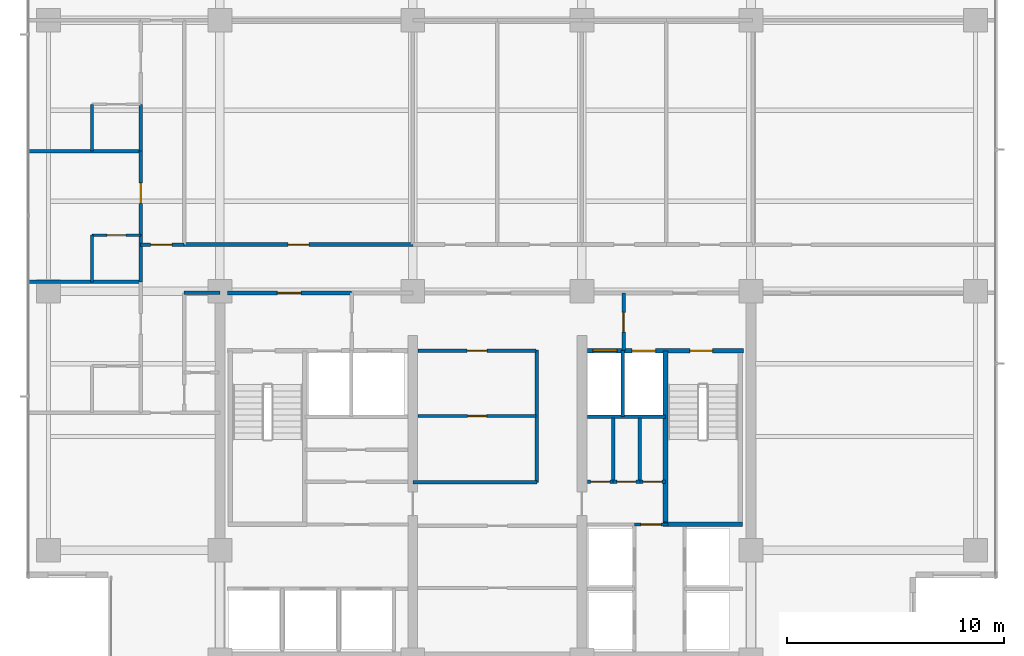
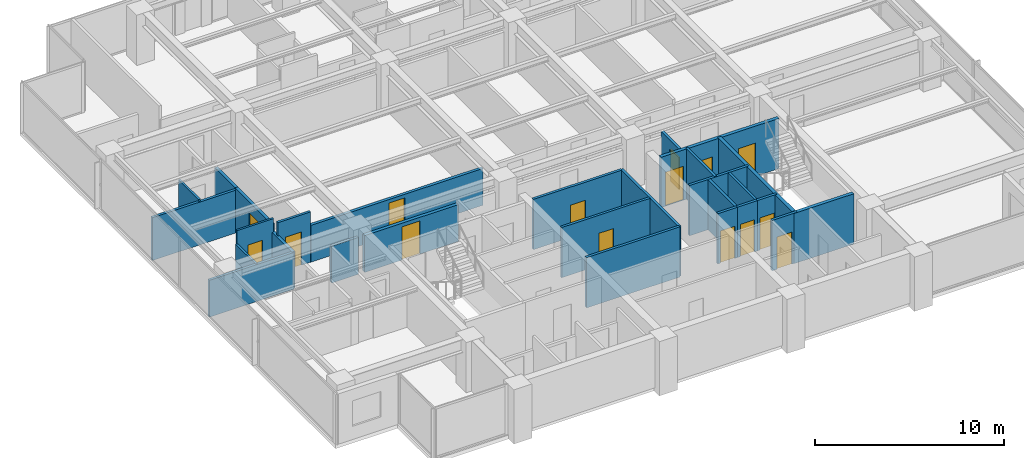
# One storey, part 8 of 14: 28 walls, 15 doors, 15 openings.
"""IFC4 building model written with IfcOpenShell, lengths in metres."""

from ifc_helpers import new_model, si_unit, direction, frame, frame_2d, origin, place, context, subcontext, project, spatial, rectangle, extrude, material, layer, layer_set, type_object, element, fill, save


model = new_model("IFC4")

# Units and contexts
model_context = context("Model", 3, precision=1e-05, world=origin(), true_north=direction((0.0, 1.0)))
body_context = subcontext(model_context, "Body", "Model", "MODEL_VIEW")
ifc_project = project(units=[si_unit("LENGTHUNIT", "METRE"), si_unit("AREAUNIT", "SQUARE_METRE"), si_unit("VOLUMEUNIT", "CUBIC_METRE"), si_unit("PLANEANGLEUNIT", "RADIAN"), si_unit("MASSUNIT", "GRAM", prefix="KILO")], contexts=[model_context])

# Site, building, storey
site_placement = place(None, origin())
site = spatial("IfcSite", under=ifc_project, at=site_placement, CompositionType="ELEMENT")
building_placement = place(site_placement, origin())
building = spatial("IfcBuilding", under=site, at=building_placement, Name="Qalmaran Belvedere Hotel", CompositionType="ELEMENT")
storey_placement = place(building_placement, frame((0.0, 0.0, 156.10009765625)))
storey = spatial("IfcBuildingStorey", under=building, at=storey_placement, Name="L39", CompositionType="ELEMENT", Elevation=156.10009765625)

# Wall, opening, door
ifc_material_1 = material(Name="Moisture-Resistant Gypsum")
ifc_layer_1 = layer(ifc_material_1, 0.1201171875, Name="Moisture-Resistant Gypsum")
ifc_layer_set_1 = layer_set([ifc_layer_1], Name="Moisture-Resistant Gypsum")
wall_type_1 = type_object("IfcWallType", Name="WL-INT-120-BATH", PredefinedType="PARTITIONING", material=ifc_layer_set_1)
wall_1_placement = place(storey_placement, frame((14.39990234375, 23.083251953125, 0.0), z_axis=(0.0, 0.0, 1.0), x_axis=(1.0, 0.0, 0.0)))
wall_1 = element("IfcWall", 1, at=wall_1_placement, inside=storey, type_object=wall_type_1, Name="L39 Partition WL-L39-WBN01", PredefinedType="PARTITIONING", context=body_context, shape_type="SweptSolid", body=[
    extrude(rectangle(XDim=2.25, YDim=0.1201171875, at=frame_2d((1.125, 0.0))), origin(), (0.0, 0.0, 1.0), 3.25),
])
opening_1_placement = place(wall_1_placement, frame((1.56494140625, 0.0, 0.0), z_axis=(0.0, 0.0, 1.0), x_axis=(-1.0, 0.0, 0.0)))
opening_1 = element("IfcOpeningElement", 2, at=opening_1_placement, cuts=wall_1, Name="Opening D-BATH", PredefinedType="OPENING", context=body_context, shape_type="SweptSolid", body=[
    extrude(rectangle(XDim=0.8798828125, YDim=2.080078125, at=frame_2d((0.43994140625, 1.0400390625))), frame((0.0, 0.070068359375, 0.0), z_axis=(0.0, -1.0, 0.0), x_axis=(1.0, 0.0, 0.0)), (0.0, 0.0, 1.0), 0.14013671875),
])
ifc_material_2 = material(Name="Engineered Oak Veneer")
door_type_1 = type_object("IfcDoorType", Name="DR-INT-BATH-880X2080", OperationType="NOTDEFINED", PredefinedType="DOOR", material=ifc_material_2)
door_1_placement = place(opening_1_placement, origin())
door_1 = element("IfcDoor", 3, at=door_1_placement, inside=storey, type_object=door_type_1, Name="L39 W Ensuite Door 02", OperationType="SINGLE_SWING_RIGHT", OverallHeight=2.080078125, OverallWidth=0.8798828125, PredefinedType="DOOR", context=body_context, shape_type="SweptSolid", body=[
    extrude(rectangle(XDim=0.8798828125, YDim=2.080078125, at=frame_2d((0.43994140625, 1.0400390625))), frame((0.0, 0.02490234375, 0.0), z_axis=(0.0, -1.0, 0.0), x_axis=(1.0, 0.0, 0.0)), (0.0, 0.0, 1.0), 0.050048828125),
])
fill(opening_1, door_1)

# Walls
wall_2_placement = place(storey_placement, frame((14.39990234375, 20.933349609375, 0.0), z_axis=(0.0, 0.0, 1.0), x_axis=(0.0, 1.0, 0.0)))
element("IfcWall", 4, at=wall_2_placement, inside=storey, type_object=wall_type_1, Name="L39 Partition WL-L39-WBS01", PredefinedType="PARTITIONING", context=body_context, shape_type="SweptSolid", body=[
    extrude(rectangle(XDim=2.14990234375, YDim=0.1201171875, at=frame_2d((1.074951171875, 0.0))), origin(), (0.0, 0.0, 1.0), 2.3798828125),
])
wall_3_placement = place(storey_placement, frame((14.39990234375, 26.966796875, 0.0), z_axis=(0.0, 0.0, 1.0), x_axis=(0.0, 1.0, 0.0)))
element("IfcWall", 5, at=wall_3_placement, inside=storey, type_object=wall_type_1, Name="L39 Partition WL-L39-WBS02", PredefinedType="PARTITIONING", context=body_context, shape_type="SweptSolid", body=[
    extrude(rectangle(XDim=2.14990234375, YDim=0.1201171875, at=frame_2d((1.074951171875, 0.0))), origin(), (0.0, 0.0, 1.0), 2.880859375),
])
ifc_material_3 = material(Name="Gypsum Stud Partition")
ifc_layer_2 = layer(ifc_material_3, 0.14990234375, Name="Gypsum Stud Partition")
ifc_layer_set_2 = layer_set([ifc_layer_2], Name="Gypsum Stud Partition")
wall_type_2 = type_object("IfcWallType", Name="WL-INT-150-EI120", PredefinedType="PARTITIONING", material=ifc_layer_set_2)
wall_4_placement = place(storey_placement, frame((38.8798828125, 14.719970703125, 0.0), z_axis=(0.0, 0.0, 1.0), x_axis=(0.0, 1.0, 0.0)))
element("IfcWall", 6, at=wall_4_placement, inside=storey, type_object=wall_type_2, Name="L39 Partition WL-FF2M-L39", PredefinedType="PARTITIONING", context=body_context, shape_type="SweptSolid", body=[
    extrude(rectangle(XDim=3.0400390625, YDim=0.14990234375, at=frame_2d((1.52001953125, 0.0))), origin(), (0.0, 0.0, 1.0), 3.25),
])
ifc_layer_3 = layer(ifc_material_3, 0.14990234375, Name="Gypsum Stud Partition")
ifc_layer_set_3 = layer_set([ifc_layer_3], Name="Gypsum Stud Partition")
wall_type_3 = type_object("IfcWallType", Name="WL-INT-150-EI60", PredefinedType="PARTITIONING", material=ifc_layer_set_3)
for number, where, z_axis, x_axis, name in (
    (7, (38.44140625, 11.719970703125, 0.0), (0.0, 0.0, 1.0), (0.0, 1.0, 0.0), "L39 Partition WL-L39-KEV1"),
    (8, (39.668701171875, 11.719970703125, 0.0), (0.0, 0.0, 1.0), (0.0, 1.0, 0.0), "L39 Partition WL-L39-KEV2"),
):
    element("IfcWall", number, at=place(storey_placement, frame(where, z_axis=z_axis, x_axis=x_axis)), inside=storey, type_object=wall_type_3, Name=name, PredefinedType="PARTITIONING", context=body_context, shape_type="SweptSolid", body=[
        extrude(rectangle(XDim=2.929931640625, YDim=0.14990234375, at=frame_2d((1.46484375, 0.0))), origin(), (0.0, 0.0, 1.0), 3.25),
    ])

# Wall, opening, door
wall_5_placement = place(storey_placement, frame((29.449951171875, 14.7451171875, 0.0), z_axis=(0.0, 0.0, 1.0), x_axis=(1.0, 0.0, 0.0)))
wall_5 = element("IfcWall", 9, at=wall_5_placement, inside=storey, type_object=wall_type_3, Name="L39 Partition WL-L39-KPMHM", PredefinedType="PARTITIONING", context=body_context, shape_type="SweptSolid", body=[
    extrude(rectangle(XDim=5.429931640625, YDim=0.14990234375, at=frame_2d((2.71484375, 0.0))), origin(), (0.0, 0.0, 1.0), 3.25),
])
opening_2_placement = place(wall_5_placement, frame((3.15478515625, 0.0, 0.0), z_axis=(0.0, 0.0, 1.0), x_axis=(-1.0, 0.0, 0.0)))
opening_2 = element("IfcOpeningElement", 10, at=opening_2_placement, cuts=wall_5, Name="Opening FD60B", PredefinedType="OPENING", context=body_context, shape_type="SweptSolid", body=[
    extrude(rectangle(XDim=0.8798828125, YDim=2.080078125, at=frame_2d((0.43994140625, 1.0400390625))), frame((0.0, 0.0849609375, 0.0), z_axis=(0.0, -1.0, 0.0), x_axis=(1.0, 0.0, 0.0)), (0.0, 0.0, 1.0), 0.169921875),
])
ifc_material_4 = material(Name="Steel S355JR", Category="steel")
door_type_2 = type_object("IfcDoorType", Name="DR-FD60B-880X2080", OperationType="NOTDEFINED", PredefinedType="DOOR", material=ifc_material_4)
door_2_placement = place(opening_2_placement, origin())
door_2 = element("IfcDoor", 11, at=door_2_placement, inside=storey, type_object=door_type_2, Name="L39 Executive Butler Pantry Door", OperationType="SINGLE_SWING_RIGHT", OverallHeight=2.080078125, OverallWidth=0.8798828125, PredefinedType="DOOR", context=body_context, shape_type="SweptSolid", body=[
    extrude(rectangle(XDim=0.8798828125, YDim=2.080078125, at=frame_2d((0.43994140625, 1.0400390625))), frame((0.0, 0.02490234375, 0.0), z_axis=(0.0, -1.0, 0.0), x_axis=(1.0, 0.0, 0.0)), (0.0, 0.0, 1.0), 0.050048828125),
])
fill(opening_2, door_2)

wall_6_placement = place(storey_placement, frame((16.64990234375, 22.64990234375, 0.0), z_axis=(0.0, 0.0, 1.0), x_axis=(1.0, 0.0, 0.0)))
wall_6 = element("IfcWall", 12, at=wall_6_placement, inside=storey, type_object=wall_type_3, Name="L39 Partition WL-L39-XCW1", PredefinedType="PARTITIONING", context=body_context, shape_type="SweptSolid", body=[
    extrude(rectangle(XDim=2.0, YDim=0.14990234375, at=frame_2d((1.0, 0.0))), origin(), (0.0, 0.0, 1.0), 3.25),
])
opening_3_placement = place(wall_6_placement, frame((0.449951171875, 0.0, 0.0)))
opening_3 = element("IfcOpeningElement", 13, at=opening_3_placement, cuts=wall_6, Name="Opening FD90B", PredefinedType="OPENING", context=body_context, shape_type="SweptSolid", body=[
    extrude(rectangle(XDim=1.0, YDim=2.14990234375, at=frame_2d((0.5, 1.074951171875))), frame((0.0, 0.0849609375, 0.0), z_axis=(0.0, -1.0, 0.0), x_axis=(1.0, 0.0, 0.0)), (0.0, 0.0, 1.0), 0.169921875),
])
door_type_3 = type_object("IfcDoorType", Name="DR-FD90B-1000X2150", OperationType="NOTDEFINED", PredefinedType="DOOR", material=ifc_material_4)
door_3_placement = place(opening_3_placement, origin())
door_3 = element("IfcDoor", 14, at=door_3_placement, inside=storey, type_object=door_type_3, Name="L39 West Corridor Smoke Door S", OperationType="SINGLE_SWING_LEFT", OverallHeight=2.14990234375, OverallWidth=1.0, PredefinedType="DOOR", context=body_context, shape_type="SweptSolid", body=[
    extrude(rectangle(XDim=1.0, YDim=2.14990234375, at=frame_2d((0.5, 1.074951171875))), frame((0.0, 0.02490234375, 0.0), z_axis=(0.0, -1.0, 0.0), x_axis=(1.0, 0.0, 0.0)), (0.0, 0.0, 1.0), 0.050048828125),
])
fill(opening_3, door_3)

ifc_layer_4 = layer(ifc_material_3, 0.159912109375, Name="Gypsum Stud Partition")
ifc_layer_set_4 = layer_set([ifc_layer_4], Name="Gypsum Stud Partition")
wall_type_4 = type_object("IfcWallType", Name="WL-INT-160-EI120", PredefinedType="PARTITIONING", material=ifc_layer_set_4)
wall_7_placement = place(storey_placement, frame((38.919921875, 17.760009765625, 0.0), z_axis=(0.0, 0.0, 1.0), x_axis=(0.0, 1.0, 0.0)))
wall_7 = element("IfcWall", 15, at=wall_7_placement, inside=storey, type_object=wall_type_4, Name="L39 Partition WL-FFSV2-L39", PredefinedType="PARTITIONING", context=body_context, shape_type="SweptSolid", body=[
    extrude(rectangle(XDim=2.659912109375, YDim=0.159912109375, at=frame_2d((1.330078125, 0.0))), origin(), (0.0, 0.0, 1.0), 2.69189453125),
])
opening_4_placement = place(wall_7_placement, frame((1.77001953125, 0.0, 0.0), z_axis=(0.0, 0.0, 1.0), x_axis=(-1.0, 0.0, 0.0)))
opening_4 = element("IfcOpeningElement", 16, at=opening_4_placement, cuts=wall_7, Name="Opening FD60S1", PredefinedType="OPENING", context=body_context, shape_type="SweptSolid", body=[
    extrude(rectangle(XDim=0.919921875, YDim=2.080078125, at=frame_2d((0.4599609375, 1.0400390625))), frame((0.0, 0.08984375, 0.0), z_axis=(0.0, -1.0, 0.0), x_axis=(1.0, 0.0, 0.0)), (0.0, 0.0, 1.0), 0.179931640625),
])
door_type_4 = type_object("IfcDoorType", Name="DR-FD60S-920X2080", OperationType="NOTDEFINED", PredefinedType="DOOR", material=ifc_material_2)
door_4_placement = place(opening_4_placement, origin())
door_4 = element("IfcDoor", 17, at=door_4_placement, inside=storey, type_object=door_type_4, Name="L39 Service Lobby East Door", OperationType="SINGLE_SWING_RIGHT", OverallHeight=2.080078125, OverallWidth=0.919921875, PredefinedType="DOOR", context=body_context, shape_type="SweptSolid", body=[
    extrude(rectangle(XDim=0.919921875, YDim=2.080078125, at=frame_2d((0.4599609375, 1.0400390625))), frame((0.0, 0.02490234375, 0.0), z_axis=(0.0, -1.0, 0.0), x_axis=(1.0, 0.0, 0.0)), (0.0, 0.0, 1.0), 0.050048828125),
])
fill(opening_4, door_4)

# Wall
wall_8_placement = place(storey_placement, frame((37.25, 14.719970703125, 0.0), z_axis=(0.0, 0.0, 1.0), x_axis=(1.0, 0.0, 0.0)))
element("IfcWall", 18, at=wall_8_placement, inside=storey, type_object=wall_type_4, Name="L39 Partition WL-FF2S-L39", PredefinedType="PARTITIONING", context=body_context, shape_type="SweptSolid", body=[
    extrude(rectangle(XDim=3.610107421875, YDim=0.159912109375, at=frame_2d((1.80517578125, 0.0))), origin(), (0.0, 0.0, 1.0), 3.25),
])

# Wall, opening, door
wall_9_placement = place(storey_placement, frame((39.419921875, 9.739990234375, 0.0), z_axis=(0.0, 0.0, 1.0), x_axis=(1.0, 0.0, 0.0)))
wall_9 = element("IfcWall", 19, at=wall_9_placement, inside=storey, type_object=wall_type_4, Name="L39 Partition WL-PHNL-L39", PredefinedType="PARTITIONING", context=body_context, shape_type="SweptSolid", body=[
    extrude(rectangle(XDim=1.56005859375, YDim=0.159912109375, at=frame_2d((0.780029296875, 0.0))), origin(), (0.0, 0.0, 1.0), 3.25),
])
opening_5_placement = place(wall_9_placement, frame((0.300048828125, 0.0, 0.0)))
opening_5 = element("IfcOpeningElement", 20, at=opening_5_placement, cuts=wall_9, Name="Opening FD60S1", PredefinedType="OPENING", context=body_context, shape_type="SweptSolid", body=[
    extrude(rectangle(XDim=0.919921875, YDim=2.080078125, at=frame_2d((0.4599609375, 1.0400390625))), frame((0.0, 0.08984375, 0.0), z_axis=(0.0, -1.0, 0.0), x_axis=(1.0, 0.0, 0.0)), (0.0, 0.0, 1.0), 0.179931640625),
])
door_5_placement = place(opening_5_placement, origin())
door_5 = element("IfcDoor", 21, at=door_5_placement, inside=storey, type_object=door_type_4, Name="L39 High-Rise Lift Lobby Passage Door", OperationType="SINGLE_SWING_RIGHT", OverallHeight=2.080078125, OverallWidth=0.919921875, PredefinedType="DOOR", context=body_context, shape_type="SweptSolid", body=[
    extrude(rectangle(XDim=0.919921875, YDim=2.080078125, at=frame_2d((0.4599609375, 1.0400390625))), frame((0.0, 0.02490234375, 0.0), z_axis=(0.0, -1.0, 0.0), x_axis=(1.0, 0.0, 0.0)), (0.0, 0.0, 1.0), 0.050048828125),
])
fill(opening_5, door_5)

ifc_layer_5 = layer(ifc_material_3, 0.159912109375, Name="Gypsum Stud Partition")
ifc_layer_set_5 = layer_set([ifc_layer_5], Name="Gypsum Stud Partition")
wall_type_5 = type_object("IfcWallType", Name="WL-INT-160-EI60", PredefinedType="PARTITIONING", material=ifc_layer_set_5)
wall_10_placement = place(storey_placement, frame((37.25, 11.719970703125, 0.0), z_axis=(0.0, 0.0, 1.0), x_axis=(1.0, 0.0, 0.0)))
wall_10 = element("IfcWall", 22, at=wall_10_placement, inside=storey, type_object=wall_type_5, Name="L39 Partition WL-L39-KEE1", PredefinedType="PARTITIONING", context=body_context, shape_type="SweptSolid", body=[
    extrude(rectangle(XDim=1.19140625, YDim=0.159912109375, at=frame_2d((0.595703125, 0.0))), origin(), (0.0, 0.0, 1.0), 3.25),
])
opening_6_placement = place(wall_10_placement, frame((0.155517578125, 0.0, 0.0)))
opening_6 = element("IfcOpeningElement", 23, at=opening_6_placement, cuts=wall_10, Name="Opening FD60B", PredefinedType="OPENING", context=body_context, shape_type="SweptSolid", body=[
    extrude(rectangle(XDim=0.8798828125, YDim=2.080078125, at=frame_2d((0.43994140625, 1.0400390625))), frame((0.0, 0.08984375, 0.0), z_axis=(0.0, -1.0, 0.0), x_axis=(1.0, 0.0, 0.0)), (0.0, 0.0, 1.0), 0.179931640625),
])
door_6_placement = place(opening_6_placement, origin())
door_6 = element("IfcDoor", 24, at=door_6_placement, inside=storey, type_object=door_type_2, Name="L39 Hotel Linen Closet Door", OperationType="SINGLE_SWING_RIGHT", OverallHeight=2.080078125, OverallWidth=0.8798828125, PredefinedType="DOOR", context=body_context, shape_type="SweptSolid", body=[
    extrude(rectangle(XDim=0.8798828125, YDim=2.080078125, at=frame_2d((0.43994140625, 1.0400390625))), frame((0.0, 0.02490234375, 0.0), z_axis=(0.0, -1.0, 0.0), x_axis=(1.0, 0.0, 0.0)), (0.0, 0.0, 1.0), 0.050048828125),
])
fill(opening_6, door_6)

wall_11_placement = place(storey_placement, frame((38.44140625, 11.719970703125, 0.0), z_axis=(0.0, 0.0, 1.0), x_axis=(1.0, 0.0, 0.0)))
wall_11 = element("IfcWall", 25, at=wall_11_placement, inside=storey, type_object=wall_type_5, Name="L39 Partition WL-L39-KEE2", PredefinedType="PARTITIONING", context=body_context, shape_type="SweptSolid", body=[
    extrude(rectangle(XDim=1.227294921875, YDim=0.159912109375, at=frame_2d((0.61376953125, 0.0))), origin(), (0.0, 0.0, 1.0), 3.25),
])
opening_7_placement = place(wall_11_placement, frame((0.173583984375, 0.0, 0.0)))
opening_7 = element("IfcOpeningElement", 26, at=opening_7_placement, cuts=wall_11, Name="Opening FD60B", PredefinedType="OPENING", context=body_context, shape_type="SweptSolid", body=[
    extrude(rectangle(XDim=0.8798828125, YDim=2.080078125, at=frame_2d((0.43994140625, 1.0400390625))), frame((0.0, 0.08984375, 0.0), z_axis=(0.0, -1.0, 0.0), x_axis=(1.0, 0.0, 0.0)), (0.0, 0.0, 1.0), 0.179931640625),
])
door_7_placement = place(opening_7_placement, origin())
door_7 = element("IfcDoor", 27, at=door_7_placement, inside=storey, type_object=door_type_2, Name="L39 Guest Ice and Beverage Pantry Door", OperationType="SINGLE_SWING_LEFT", OverallHeight=2.080078125, OverallWidth=0.8798828125, PredefinedType="DOOR", context=body_context, shape_type="SweptSolid", body=[
    extrude(rectangle(XDim=0.8798828125, YDim=2.080078125, at=frame_2d((0.43994140625, 1.0400390625))), frame((0.0, 0.02490234375, 0.0), z_axis=(0.0, -1.0, 0.0), x_axis=(1.0, 0.0, 0.0)), (0.0, 0.0, 1.0), 0.050048828125),
])
fill(opening_7, door_7)

wall_12_placement = place(storey_placement, frame((39.668701171875, 11.719970703125, 0.0), z_axis=(0.0, 0.0, 1.0), x_axis=(1.0, 0.0, 0.0)))
wall_12 = element("IfcWall", 28, at=wall_12_placement, inside=storey, type_object=wall_type_5, Name="L39 Partition WL-L39-KEE3", PredefinedType="PARTITIONING", context=body_context, shape_type="SweptSolid", body=[
    extrude(rectangle(XDim=1.19140625, YDim=0.159912109375, at=frame_2d((0.595703125, 0.0))), origin(), (0.0, 0.0, 1.0), 3.25),
])
opening_8_placement = place(wall_12_placement, frame((0.155517578125, 0.0, 0.0)))
opening_8 = element("IfcOpeningElement", 29, at=opening_8_placement, cuts=wall_12, Name="Opening FD60B", PredefinedType="OPENING", context=body_context, shape_type="SweptSolid", body=[
    extrude(rectangle(XDim=0.8798828125, YDim=2.080078125, at=frame_2d((0.43994140625, 1.0400390625))), frame((0.0, 0.08984375, 0.0), z_axis=(0.0, -1.0, 0.0), x_axis=(1.0, 0.0, 0.0)), (0.0, 0.0, 1.0), 0.179931640625),
])
door_8_placement = place(opening_8_placement, origin())
door_8 = element("IfcDoor", 30, at=door_8_placement, inside=storey, type_object=door_type_2, Name="L39 Cleaner Equipment Store Door", OperationType="SINGLE_SWING_RIGHT", OverallHeight=2.080078125, OverallWidth=0.8798828125, PredefinedType="DOOR", context=body_context, shape_type="SweptSolid", body=[
    extrude(rectangle(XDim=0.8798828125, YDim=2.080078125, at=frame_2d((0.43994140625, 1.0400390625))), frame((0.0, 0.02490234375, 0.0), z_axis=(0.0, -1.0, 0.0), x_axis=(1.0, 0.0, 0.0)), (0.0, 0.0, 1.0), 0.050048828125),
])
fill(opening_8, door_8)

# Walls
wall_13_placement = place(storey_placement, frame((34.919921875, 11.679931640625, 0.0), z_axis=(0.0, 0.0, 1.0), x_axis=(0.0, 1.0, 0.0)))
element("IfcWall", 31, at=wall_13_placement, inside=storey, type_object=wall_type_5, Name="L39 Partition WL-CLLV-L39", PredefinedType="PARTITIONING", context=body_context, shape_type="SweptSolid", body=[
    extrude(rectangle(XDim=6.10009765625, YDim=0.159912109375, at=frame_2d((3.050048828125, 0.0))), origin(), (0.0, 0.0, 1.0), 3.25),
])
wall_14_placement = place(storey_placement, frame((29.199951171875, 11.679931640625, 0.0), z_axis=(0.0, 0.0, 1.0), x_axis=(1.0, 0.0, 0.0)))
element("IfcWall", 32, at=wall_14_placement, inside=storey, type_object=wall_type_5, Name="L39 Partition WL-PMFS-L39", PredefinedType="PARTITIONING", context=body_context, shape_type="SweptSolid", body=[
    extrude(rectangle(XDim=5.719970703125, YDim=0.159912109375, at=frame_2d((2.85986328125, 0.0))), origin(), (0.0, 0.0, 1.0), 3.25),
])

# Wall, opening, door
wall_15_placement = place(storey_placement, frame((29.449951171875, 17.75, 0.0), z_axis=(0.0, 0.0, 1.0), x_axis=(1.0, 0.0, 0.0)))
wall_15 = element("IfcWall", 33, at=wall_15_placement, inside=storey, type_object=wall_type_5, Name="L39 Partition WL-L39-KPME1", PredefinedType="PARTITIONING", context=body_context, shape_type="SweptSolid", body=[
    extrude(rectangle(XDim=5.429931640625, YDim=0.159912109375, at=frame_2d((2.71484375, 0.0))), origin(), (0.0, 0.0, 1.0), 3.25),
])
opening_9_placement = place(wall_15_placement, frame((3.1748046875, 0.0, 0.0), z_axis=(0.0, 0.0, 1.0), x_axis=(-1.0, 0.0, 0.0)))
opening_9 = element("IfcOpeningElement", 34, at=opening_9_placement, cuts=wall_15, Name="Opening FD60S1", PredefinedType="OPENING", context=body_context, shape_type="SweptSolid", body=[
    extrude(rectangle(XDim=0.919921875, YDim=2.080078125, at=frame_2d((0.4599609375, 1.0400390625))), frame((0.0, 0.08984375, 0.0), z_axis=(0.0, -1.0, 0.0), x_axis=(1.0, 0.0, 0.0)), (0.0, 0.0, 1.0), 0.179931640625),
])
door_9_placement = place(opening_9_placement, origin())
door_9 = element("IfcDoor", 35, at=door_9_placement, inside=storey, type_object=door_type_4, Name="L39 Core Tableware Store Door", OperationType="SINGLE_SWING_LEFT", OverallHeight=2.080078125, OverallWidth=0.919921875, PredefinedType="DOOR", context=body_context, shape_type="SweptSolid", body=[
    extrude(rectangle(XDim=0.919921875, YDim=2.080078125, at=frame_2d((0.4599609375, 1.0400390625))), frame((0.0, 0.02490234375, 0.0), z_axis=(0.0, -1.0, 0.0), x_axis=(1.0, 0.0, 0.0)), (0.0, 0.0, 1.0), 0.050048828125),
])
fill(opening_9, door_9)

# Walls
wall_16_placement = place(storey_placement, frame((18.64990234375, 20.419921875, 0.0), z_axis=(0.0, 0.0, 1.0), x_axis=(1.0, 0.0, 0.0)))
element("IfcWall", 36, at=wall_16_placement, inside=storey, type_object=wall_type_5, Name="L39 Partition WL-L39-WCLN", PredefinedType="PARTITIONING", context=body_context, shape_type="SweptSolid", body=[
    extrude(rectangle(XDim=1.650146484375, YDim=0.159912109375, at=frame_2d((0.8251953125, 0.0))), origin(), (0.0, 0.0, 1.0), 2.3798828125),
])
wall_17_placement = place(storey_placement, frame((11.469970703125, 20.933349609375, 0.0), z_axis=(0.0, 0.0, 1.0), x_axis=(1.0, 0.0, 0.0)))
element("IfcWall", 37, at=wall_17_placement, inside=storey, type_object=wall_type_5, Name="L39 Partition WL-L39-WU00", PredefinedType="PARTITIONING", context=body_context, shape_type="SweptSolid", body=[
    extrude(rectangle(XDim=5.179931640625, YDim=0.159912109375, at=frame_2d((2.58984375, 0.0))), origin(), (0.0, 0.0, 1.0), 2.3798828125),
])
wall_18_placement = place(storey_placement, frame((11.469970703125, 26.966796875, 0.0), z_axis=(0.0, 0.0, 1.0), x_axis=(1.0, 0.0, 0.0)))
element("IfcWall", 38, at=wall_18_placement, inside=storey, type_object=wall_type_5, Name="L39 Partition WL-L39-WU01", PredefinedType="PARTITIONING", context=body_context, shape_type="SweptSolid", body=[
    extrude(rectangle(XDim=5.179931640625, YDim=0.159912109375, at=frame_2d((2.58984375, 0.0))), origin(), (0.0, 0.0, 1.0), 2.77197265625),
])

# Wall, opening, door
ifc_layer_6 = layer(ifc_material_3, 0.179931640625, Name="Gypsum Stud Partition")
ifc_layer_set_6 = layer_set([ifc_layer_6], Name="Gypsum Stud Partition")
wall_type_6 = type_object("IfcWallType", Name="WL-INT-180-EI60", PredefinedType="PARTITIONING", material=ifc_layer_set_6)
wall_19_placement = place(storey_placement, frame((18.64990234375, 22.64990234375, 0.0), z_axis=(0.0, 0.0, 1.0), x_axis=(1.0, 0.0, 0.0)))
wall_19 = element("IfcWall", 39, at=wall_19_placement, inside=storey, type_object=wall_type_6, Name="L39 Partition WL-L39-MIDD1", PredefinedType="PARTITIONING", context=body_context, shape_type="SweptSolid", body=[
    extrude(rectangle(XDim=10.550048828125, YDim=0.179931640625, at=frame_2d((5.27490234375, 0.0))), origin(), (0.0, 0.0, 1.0), 2.3798828125),
])
opening_10_placement = place(wall_19_placement, frame((4.800048828125, 0.0, 0.0)))
opening_10 = element("IfcOpeningElement", 40, at=opening_10_placement, cuts=wall_19, Name="Opening FD60", PredefinedType="OPENING", context=body_context, shape_type="SweptSolid", body=[
    extrude(rectangle(XDim=0.949951171875, YDim=2.14990234375, at=frame_2d((0.47509765625, 1.074951171875))), frame((0.0, 0.10009765625, 0.0), z_axis=(0.0, -1.0, 0.0), x_axis=(1.0, 0.0, 0.0)), (0.0, 0.0, 1.0), 0.199951171875),
])
door_type_5 = type_object("IfcDoorType", Name="DR-FD60-950X2150", OperationType="NOTDEFINED", PredefinedType="DOOR", material=ifc_material_2)
door_10_placement = place(opening_10_placement, origin())
door_10 = element("IfcDoor", 41, at=door_10_placement, inside=storey, type_object=door_type_5, Name="L39 Housekeeping and Linen Room Door", OperationType="SINGLE_SWING_LEFT", OverallHeight=2.14990234375, OverallWidth=0.949951171875, PredefinedType="DOOR", context=body_context, shape_type="SweptSolid", body=[
    extrude(rectangle(XDim=0.949951171875, YDim=2.14990234375, at=frame_2d((0.47509765625, 1.074951171875))), frame((0.0, 0.02490234375, 0.0), z_axis=(0.0, -1.0, 0.0), x_axis=(1.0, 0.0, 0.0)), (0.0, 0.0, 1.0), 0.050048828125),
])
fill(opening_10, door_10)

# Wall
wall_20_placement = place(storey_placement, frame((16.64990234375, 20.933349609375, 0.0), z_axis=(0.0, 0.0, 1.0), x_axis=(0.0, 1.0, 0.0)))
element("IfcWall", 42, at=wall_20_placement, inside=storey, type_object=wall_type_6, Name="L39 Partition WL-L39-WBC01", PredefinedType="PARTITIONING", context=body_context, shape_type="SweptSolid", body=[
    extrude(rectangle(XDim=2.14990234375, YDim=0.179931640625, at=frame_2d((1.074951171875, 0.0))), origin(), (0.0, 0.0, 1.0), 2.3798828125),
])

# Wall, opening, door
wall_21_placement = place(storey_placement, frame((16.64990234375, 23.083251953125, 0.0), z_axis=(0.0, 0.0, 1.0), x_axis=(0.0, 1.0, 0.0)))
wall_21 = element("IfcWall", 43, at=wall_21_placement, inside=storey, type_object=wall_type_6, Name="L39 Partition WL-L39-WEC01", PredefinedType="PARTITIONING", context=body_context, shape_type="SweptSolid", body=[
    extrude(rectangle(XDim=3.883544921875, YDim=0.179931640625, at=frame_2d((1.94189453125, 0.0))), origin(), (0.0, 0.0, 1.0), 2.880859375),
])
opening_11_placement = place(wall_21_placement, frame((1.466796875, 0.0, 0.0)))
opening_11 = element("IfcOpeningElement", 44, at=opening_11_placement, cuts=wall_21, Name="Opening FD60", PredefinedType="OPENING", context=body_context, shape_type="SweptSolid", body=[
    extrude(rectangle(XDim=0.949951171875, YDim=2.14990234375, at=frame_2d((0.47509765625, 1.074951171875))), frame((0.0, 0.10009765625, 0.0), z_axis=(0.0, -1.0, 0.0), x_axis=(1.0, 0.0, 0.0)), (0.0, 0.0, 1.0), 0.199951171875),
])
door_11_placement = place(opening_11_placement, origin())
door_11 = element("IfcDoor", 45, at=door_11_placement, inside=storey, type_object=door_type_5, Name="L39 W Wing Door 02", OperationType="SINGLE_SWING_LEFT", OverallHeight=2.14990234375, OverallWidth=0.949951171875, PredefinedType="DOOR", context=body_context, shape_type="SweptSolid", body=[
    extrude(rectangle(XDim=0.949951171875, YDim=2.14990234375, at=frame_2d((0.47509765625, 1.074951171875))), frame((0.0, 0.02490234375, 0.0), z_axis=(0.0, -1.0, 0.0), x_axis=(1.0, 0.0, 0.0)), (0.0, 0.0, 1.0), 0.050048828125),
])
fill(opening_11, door_11)

# Wall
wall_22_placement = place(storey_placement, frame((16.64990234375, 26.966796875, 0.0), z_axis=(0.0, 0.0, 1.0), x_axis=(0.0, 1.0, 0.0)))
element("IfcWall", 46, at=wall_22_placement, inside=storey, type_object=wall_type_6, Name="L39 Partition WL-L39-WBC02", PredefinedType="PARTITIONING", context=body_context, shape_type="SweptSolid", body=[
    extrude(rectangle(XDim=2.14990234375, YDim=0.179931640625, at=frame_2d((1.074951171875, 0.0))), origin(), (0.0, 0.0, 1.0), 2.880859375),
])

# Wall, opening, door
ifc_material_5 = material(Name="Concrete C30/37 Blockwork", Category="masonry")
ifc_layer_7 = layer(ifc_material_5, 0.199951171875, Name="Concrete C30/37 Blockwork")
ifc_layer_set_7 = layer_set([ifc_layer_7], Name="Concrete C30/37 Blockwork")
wall_type_7 = type_object("IfcWallType", Name="WL-INT-200-EI120", PredefinedType="PARTITIONING", material=ifc_layer_set_7)
wall_23_placement = place(storey_placement, frame((20.64990234375, 20.419921875, 0.0), z_axis=(0.0, 0.0, 1.0), x_axis=(1.0, 0.0, 0.0)))
wall_23 = element("IfcWall", 47, at=wall_23_placement, inside=storey, type_object=wall_type_7, Name="L39 Partition WL-CN1A-L39", PredefinedType="PARTITIONING", context=body_context, shape_type="SweptSolid", body=[
    extrude(rectangle(XDim=5.72998046875, YDim=0.199951171875, at=frame_2d((2.864990234375, 0.0))), origin(), (0.0, 0.0, 1.0), 2.3798828125),
])
opening_12_placement = place(wall_23_placement, frame((2.300048828125, 0.0, 0.0)))
opening_12 = element("IfcOpeningElement", 48, at=opening_12_placement, cuts=wall_23, Name="Opening FD90", PredefinedType="OPENING", context=body_context, shape_type="SweptSolid", body=[
    extrude(rectangle(XDim=1.10009765625, YDim=2.14990234375, at=frame_2d((0.550048828125, 1.074951171875))), frame((0.0, 0.10986328125, 0.0), z_axis=(0.0, -1.0, 0.0), x_axis=(1.0, 0.0, 0.0)), (0.0, 0.0, 1.0), 0.219970703125),
])
door_type_6 = type_object("IfcDoorType", Name="DR-FD90-1100X2150", OperationType="NOTDEFINED", PredefinedType="DOOR", material=ifc_material_4)
door_12_placement = place(opening_12_placement, origin())
door_12 = element("IfcDoor", 49, at=door_12_placement, inside=storey, type_object=door_type_6, Name="L39 FF1 Lobby Corridor Door", OperationType="SINGLE_SWING_LEFT", OverallHeight=2.14990234375, OverallWidth=1.10009765625, PredefinedType="DOOR", context=body_context, shape_type="SweptSolid", body=[
    extrude(rectangle(XDim=1.10009765625, YDim=2.14990234375, at=frame_2d((0.550048828125, 1.074951171875))), frame((0.0, 0.02490234375, 0.0), z_axis=(0.0, -1.0, 0.0), x_axis=(1.0, 0.0, 0.0)), (0.0, 0.0, 1.0), 0.050048828125),
])
fill(opening_12, door_12)

# Walls
ifc_material_6 = material(Name="Concrete C50/60", Category="concrete")
ifc_layer_8 = layer(ifc_material_6, 0.2099609375, Name="Concrete C50/60")
ifc_layer_set_8 = layer_set([ifc_layer_8], Name="Concrete C50/60")
wall_type_8 = type_object("IfcWallType", Name="WL-STAIR-210-C50", PredefinedType="SHEAR", material=ifc_layer_set_8)
wall_24_placement = place(storey_placement, frame((40.85498046875, 9.7451171875, 0.0), z_axis=(0.0, 0.0, 1.0), x_axis=(0.0, 1.0, 0.0)))
element("IfcWall", 50, at=wall_24_placement, inside=storey, type_object=wall_type_8, Name="L39 Stair ST-2 West Bearing Wall", PredefinedType="SHEAR", context=body_context, shape_type="SweptSolid", body=[
    extrude(rectangle(XDim=8.009765625, YDim=0.2099609375, at=frame_2d((4.0048828125, 0.0))), origin(), (0.0, 0.0, 1.0), 3.25),
])
wall_25_placement = place(storey_placement, frame((40.75, 9.7451171875, 0.0), z_axis=(0.0, 0.0, 1.0), x_axis=(1.0, 0.0, 0.0)))
element("IfcWall", 51, at=wall_25_placement, inside=storey, type_object=wall_type_8, Name="L39 Stair ST-2 South Bearing Wall", PredefinedType="SHEAR", context=body_context, shape_type="SweptSolid", body=[
    extrude(rectangle(XDim=3.659912109375, YDim=0.2099609375, at=frame_2d((1.830078125, 0.0))), origin(), (0.0, 0.0, 1.0), 3.25),
])

# Wall, openings, doors
wall_26_placement = place(storey_placement, frame((37.25, 17.7548828125, 0.0), z_axis=(0.0, 0.0, 1.0), x_axis=(1.0, 0.0, 0.0)))
wall_26 = element("IfcWall", 52, at=wall_26_placement, inside=storey, type_object=wall_type_8, Name="L39 East Lobby and Stair ST-2 North Bearing Wall", PredefinedType="SHEAR", context=body_context, shape_type="SweptSolid", body=[
    extrude(rectangle(XDim=7.199951171875, YDim=0.2099609375, at=frame_2d((3.60009765625, 0.0))), origin(), (0.0, 0.0, 1.0), 3.25),
])
opening_13_placement = place(wall_26_placement, frame((0.25, 0.0, 0.0)))
opening_13 = element("IfcOpeningElement", 53, at=opening_13_placement, cuts=wall_26, Name="Opening LD-SV", PredefinedType="OPENING", context=body_context, shape_type="SweptSolid", body=[
    extrude(rectangle(XDim=1.1201171875, YDim=2.199951171875, at=frame_2d((0.56005859375, 1.10009765625))), frame((0.0, 0.114990234375, 0.0), z_axis=(0.0, -1.0, 0.0), x_axis=(1.0, 0.0, 0.0)), (0.0, 0.0, 1.0), 0.22998046875),
])
opening_14_placement = place(wall_26_placement, frame((2.050048828125, 0.0, 0.0)))
opening_14 = element("IfcOpeningElement", 54, at=opening_14_placement, cuts=wall_26, Name="Opening LD-FF", PredefinedType="OPENING", context=body_context, shape_type="SweptSolid", body=[
    extrude(rectangle(XDim=1.10009765625, YDim=2.179931640625, at=frame_2d((0.550048828125, 1.08984375))), frame((0.0, 0.114990234375, 0.0), z_axis=(0.0, -1.0, 0.0), x_axis=(1.0, 0.0, 0.0)), (0.0, 0.0, 1.0), 0.22998046875),
])
opening_15_placement = place(wall_26_placement, frame((5.780029296875, 0.0, 0.0), z_axis=(0.0, 0.0, 1.0), x_axis=(-1.0, 0.0, 0.0)))
opening_15 = element("IfcOpeningElement", 55, at=opening_15_placement, cuts=wall_26, Name="Opening FD90S2", PredefinedType="OPENING", context=body_context, shape_type="SweptSolid", body=[
    extrude(rectangle(XDim=1.050048828125, YDim=2.14990234375, at=frame_2d((0.52490234375, 1.074951171875))), frame((0.0, 0.114990234375, 0.0), z_axis=(0.0, -1.0, 0.0), x_axis=(1.0, 0.0, 0.0)), (0.0, 0.0, 1.0), 0.22998046875),
])
door_type_7 = type_object("IfcDoorType", Name="DR-FD90S-1050X2150", OperationType="NOTDEFINED", PredefinedType="DOOR", material=ifc_material_4)
door_13_placement = place(opening_15_placement, origin())
door_13 = element("IfcDoor", 56, at=door_13_placement, inside=storey, type_object=door_type_7, Name="L39 Stair ST-2 Door", OperationType="SINGLE_SWING_RIGHT", OverallHeight=2.14990234375, OverallWidth=1.050048828125, PredefinedType="DOOR", context=body_context, shape_type="SweptSolid", body=[
    extrude(rectangle(XDim=1.050048828125, YDim=2.14990234375, at=frame_2d((0.52490234375, 1.074951171875))), frame((0.0, 0.02490234375, 0.0), z_axis=(0.0, -1.0, 0.0), x_axis=(1.0, 0.0, 0.0)), (0.0, 0.0, 1.0), 0.050048828125),
])
fill(opening_15, door_13)
ifc_material_7 = material(Name="Stainless Steel 1.4401", Category="steel")
door_type_8 = type_object("IfcDoorType", Name="DR-LIFT-FF-1100X2180", OperationType="DOUBLE_DOOR_SLIDING", PredefinedType="DOOR", material=ifc_material_7)
door_14_placement = place(opening_14_placement, origin())
door_14 = element("IfcDoor", 57, at=door_14_placement, inside=storey, type_object=door_type_8, Name="L39 FF2 Lift Landing Door", OperationType="DOUBLE_DOOR_SLIDING", OverallHeight=2.179931640625, OverallWidth=1.10009765625, PredefinedType="DOOR", context=body_context, shape_type="SweptSolid", body=[
    extrude(rectangle(XDim=1.10009765625, YDim=2.179931640625, at=frame_2d((0.550048828125, 1.08984375))), frame((0.0, 0.02490234375, 0.0), z_axis=(0.0, -1.0, 0.0), x_axis=(1.0, 0.0, 0.0)), (0.0, 0.0, 1.0), 0.050048828125),
])
fill(opening_14, door_14)
door_type_9 = type_object("IfcDoorType", Name="DR-LIFT-SV-1120X2200", OperationType="DOUBLE_DOOR_SLIDING", PredefinedType="DOOR", material=ifc_material_7)
door_15_placement = place(opening_13_placement, origin())
door_15 = element("IfcDoor", 58, at=door_15_placement, inside=storey, type_object=door_type_9, Name="L39 SV2 Lift Landing Door", OperationType="DOUBLE_DOOR_SLIDING", OverallHeight=2.199951171875, OverallWidth=1.1201171875, PredefinedType="DOOR", context=body_context, shape_type="SweptSolid", body=[
    extrude(rectangle(XDim=1.1201171875, YDim=2.199951171875, at=frame_2d((0.56005859375, 1.10009765625))), frame((0.0, 0.02490234375, 0.0), z_axis=(0.0, -1.0, 0.0), x_axis=(1.0, 0.0, 0.0)), (0.0, 0.0, 1.0), 0.050048828125),
])
fill(opening_13, door_15)

save(model, "model.ifc")
